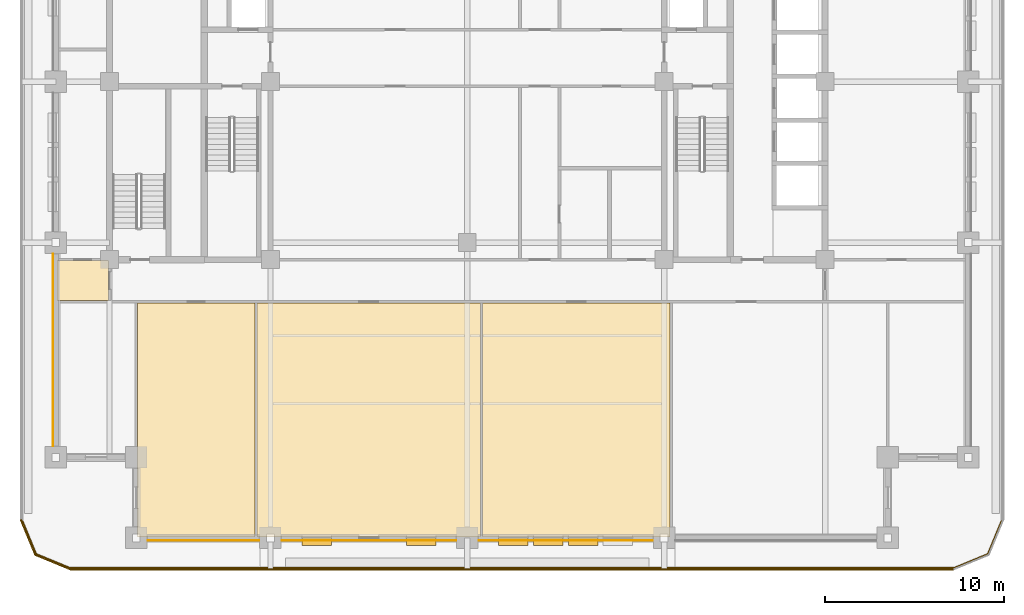
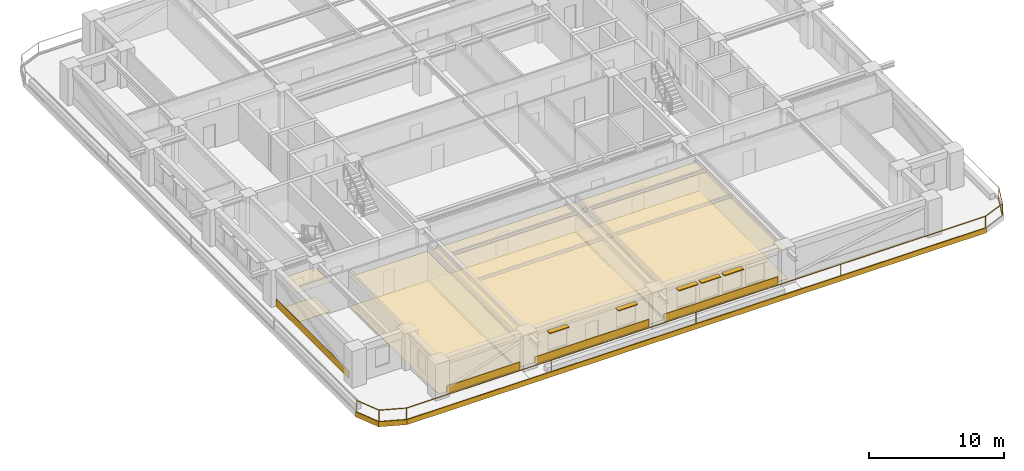
# One storey, part 7 of 13: 15 coverings, 5 shading devices, 1 railing.
"""IFC4 building model written with IfcOpenShell, lengths in metres."""

from ifc_helpers import new_model, si_unit, direction, frame, frame_2d, origin, origin_2d, place, context, subcontext, project, spatial, polyline, rectangle, outline, extrude, material, layer, layer_set, type_object, element, save


model = new_model("IFC4")

# Units and contexts
model_context = context("Model", 3, precision=1e-05, world=origin(), true_north=direction((0.0, 1.0)))
body_context = subcontext(model_context, "Body", "Model", "MODEL_VIEW")
ifc_project = project(units=[si_unit("LENGTHUNIT", "METRE"), si_unit("AREAUNIT", "SQUARE_METRE"), si_unit("VOLUMEUNIT", "CUBIC_METRE"), si_unit("PLANEANGLEUNIT", "RADIAN"), si_unit("MASSUNIT", "GRAM", prefix="KILO")], contexts=[model_context])

# Site, building, storey
site_placement = place(None, origin())
site = spatial("IfcSite", under=ifc_project, at=site_placement, CompositionType="ELEMENT")
building_placement = place(site_placement, origin())
building = spatial("IfcBuilding", under=site, at=building_placement, Name="Zulmaris Gate Convention Tower", CompositionType="ELEMENT")
storey_placement = place(building_placement, frame((0.0, 0.0, 105.639892578125)))
storey = spatial("IfcBuildingStorey", under=building, at=storey_placement, Name="L26", CompositionType="ELEMENT", Elevation=105.639892578125)

# Coverings
ifc_material_1 = material(Name="Precast concrete C40/50", Category="concrete")
ifc_layer_1 = layer(ifc_material_1, 0.0400390625, Name="Precast concrete C40/50")
ifc_layer_set_1 = layer_set([ifc_layer_1], Name="Precast concrete C40/50")
covering_type_1 = type_object("IfcCoveringType", Name="CLAD-SPANDREL-PRECAST", PredefinedType="CLADDING", material=ifc_layer_set_1)
covering_1_placement = place(storey_placement, frame((-17.8701171875, -25.64990234375, 0.0), z_axis=(0.0, 0.0, 1.0), x_axis=(1.0, 0.0, 0.0)))
element("IfcCovering", 1, at=covering_1_placement, inside=storey, type_object=covering_type_1, Name="CLD-L26-S-0_0", PredefinedType="CLADDING", context=body_context, shape_type="SweptSolid", body=[
    extrude(rectangle(XDim=6.240234375, YDim=0.0400390625, at=frame_2d((3.1201171875, 0.0))), origin(), (0.0, 0.0, 1.0), 0.679931640625),
])
for number, where, z_axis, x_axis, name in (
    (2, (-10.3701171875, -25.64990234375, 0.0), (0.0, 0.0, 1.0), (1.0, 0.0, 0.0), "CLD-L26-S-1_0"),
    (3, (0.6298828125, -25.64990234375, 0.0), (0.0, 0.0, 1.0), (1.0, 0.0, 0.0), "CLD-L26-S-2_0"),
):
    element("IfcCovering", number, at=place(storey_placement, frame(where, z_axis=z_axis, x_axis=x_axis)), inside=storey, type_object=covering_type_1, Name=name, PredefinedType="CLADDING", context=body_context, shape_type="SweptSolid", body=[
        extrude(rectangle(XDim=9.740234375, YDim=0.0400390625, at=frame_2d((4.8701171875, 0.0))), origin(), (0.0, 0.0, 1.0), 0.679931640625),
    ])
covering_2_placement = place(storey_placement, frame((-23.14990234375, -9.6298828125, 0.0), z_axis=(0.0, 0.0, 1.0), x_axis=(0.0, -1.0, 0.0)))
element("IfcCovering", 4, at=covering_2_placement, inside=storey, type_object=covering_type_1, Name="CLD-L26-W-0_0", PredefinedType="CLADDING", context=body_context, shape_type="SweptSolid", body=[
    extrude(rectangle(XDim=10.740234375, YDim=0.0400390625, at=frame_2d((5.3701171875, 0.0))), origin(), (0.0, 0.0, 1.0), 0.679931640625),
])
ifc_material_2 = material(Name="White Glazed Architectural Precast Concrete C40/50", Category="concrete")
ifc_layer_2 = layer(ifc_material_2, 0.080078125, Name="White Glazed Architectural Precast Concrete C40/50")
ifc_layer_set_2 = layer_set([ifc_layer_2], Name="White Glazed Architectural Precast Concrete C40/50")
covering_type_2 = type_object("IfcCoveringType", Name="CLAD-TRAY-FASCIA", PredefinedType="CLADDING", material=ifc_layer_set_2)
covering_3_placement = place(storey_placement, frame((-24.962890625, -24.484619140625, -0.2900390625), z_axis=(0.0, 0.0, 1.0), x_axis=(0.382656984709, -0.923890487046, 0.0)))
element("IfcCovering", 5, at=covering_3_placement, inside=storey, type_object=covering_type_2, Name="FSC-L26-TR-00", PredefinedType="CLADDING", context=body_context, shape_type="SweptSolid", body=[
    extrude(rectangle(XDim=2.14306640625, YDim=0.080078125, at=frame_2d((1.071533203125, 0.0))), origin(), (0.0, 0.0, 1.0), 0.4599609375),
])
covering_4_placement = place(storey_placement, frame((-24.16455078125, -26.44287109375, -0.2900390625), z_axis=(0.0, 0.0, 1.0), x_axis=(0.923873803533, -0.382697263049, 0.0)))
element("IfcCovering", 6, at=covering_4_placement, inside=storey, type_object=covering_type_2, Name="FSC-L26-TR-01", PredefinedType="CLADDING", context=body_context, shape_type="SweptSolid", body=[
    extrude(rectangle(XDim=2.142822265625, YDim=0.080078125, at=frame_2d((1.0712890625, 0.0))), origin(), (0.0, 0.0, 1.0), 0.4599609375),
])
covering_5_placement = place(storey_placement, frame((-22.199951171875, -27.260009765625, -0.2900390625), z_axis=(0.0, 0.0, 1.0), x_axis=(1.0, 0.0, 0.0)))
element("IfcCovering", 7, at=covering_5_placement, inside=storey, type_object=covering_type_2, Name="FSC-L26-TR-02", PredefinedType="CLADDING", context=body_context, shape_type="SweptSolid", body=[
    extrude(rectangle(XDim=49.39990234375, YDim=0.080078125, at=frame_2d((24.699951171875, 0.0))), origin(), (0.0, 0.0, 1.0), 0.4599609375),
])
ifc_material_3 = material(Name="Mineral Fibre Acoustic Ceiling Tile")
ifc_layer_3 = layer(ifc_material_3, 0.02001953125, Name="Mineral Fibre Acoustic Ceiling Tile")
ifc_layer_set_3 = layer_set([ifc_layer_3], Name="Mineral Fibre Acoustic Ceiling Tile")
covering_type_3 = type_object("IfcCoveringType", Name="CLG-ACOUSTIC-600", PredefinedType="CEILING", material=ifc_layer_set_3)
covering_6_placement = place(storey_placement, frame((0.0, 0.0, 2.68017578125)))
element("IfcCovering", 8, at=covering_6_placement, inside=storey, type_object=covering_type_3, Name="CLG-L26-R34", PredefinedType="CEILING", context=body_context, shape_type="SweptSolid", body=[
    extrude(outline(polyline([(-18.43994140625, -25.43994140625), (-11.860107421875, -25.43994140625), (-11.860107421875, -12.360107421875), (-18.43994140625, -12.360107421875), (-18.43994140625, -25.43994140625)])), origin(), (0.0, 0.0, 1.0), 0.02001953125),
])
covering_7_placement = place(storey_placement, frame((0.0, 0.0, 2.68017578125)))
element("IfcCovering", 9, at=covering_7_placement, inside=storey, type_object=covering_type_3, Name="CLG-L26-R35", PredefinedType="CEILING", context=body_context, shape_type="SweptSolid", body=[
    extrude(outline(polyline([(-11.739990234375, -25.43994140625), (0.739990234375, -25.43994140625), (0.739990234375, -12.360107421875), (-11.739990234375, -12.360107421875), (-11.739990234375, -25.43994140625)])), origin(), (0.0, 0.0, 1.0), 0.02001953125),
])
covering_8_placement = place(storey_placement, frame((0.0, 0.0, 2.68017578125)))
element("IfcCovering", 10, at=covering_8_placement, inside=storey, type_object=covering_type_3, Name="CLG-L26-R36", PredefinedType="CEILING", context=body_context, shape_type="SweptSolid", body=[
    extrude(outline(polyline([(0.860107421875, -25.43994140625), (11.340087890625, -25.43994140625), (11.340087890625, -12.360107421875), (0.860107421875, -12.360107421875), (0.860107421875, -25.43994140625)])), origin(), (0.0, 0.0, 1.0), 0.02001953125),
])
covering_9_placement = place(storey_placement, frame((0.0, 0.0, 2.68017578125)))
element("IfcCovering", 11, at=covering_9_placement, inside=storey, type_object=covering_type_3, Name="CLG-L26-R45", PredefinedType="CEILING", context=body_context, shape_type="SweptSolid", body=[
    extrude(outline(polyline([(-22.93994140625, -12.239990234375), (-20.06005859375, -12.239990234375), (-20.06005859375, -10.010009765625), (-22.93994140625, -10.010009765625), (-22.93994140625, -12.239990234375)])), origin(), (0.0, 0.0, 1.0), 0.02001953125),
])
ifc_material_4 = material(Name="Woven Acoustic Wool Carpet Tile")
ifc_layer_4 = layer(ifc_material_4, 0.02001953125, Name="Woven Acoustic Wool Carpet Tile")
ifc_layer_set_4 = layer_set([ifc_layer_4], Name="Woven Acoustic Wool Carpet Tile")
covering_type_4 = type_object("IfcCoveringType", Name="FLR-CARPET-12", PredefinedType="FLOORING", material=ifc_layer_set_4)
covering_10_placement = place(storey_placement, origin())
element("IfcCovering", 12, at=covering_10_placement, inside=storey, type_object=covering_type_4, Name="FLR-L26-R35", PredefinedType="FLOORING", context=body_context, shape_type="SweptSolid", body=[
    extrude(outline(polyline([(-11.739990234375, -25.43994140625), (0.739990234375, -25.43994140625), (0.739990234375, -12.360107421875), (-11.739990234375, -12.360107421875), (-11.739990234375, -25.43994140625)])), origin(), (0.0, 0.0, 1.0), 0.02001953125),
])
covering_11_placement = place(storey_placement, origin())
element("IfcCovering", 13, at=covering_11_placement, inside=storey, type_object=covering_type_4, Name="FLR-L26-R36", PredefinedType="FLOORING", context=body_context, shape_type="SweptSolid", body=[
    extrude(outline(polyline([(0.860107421875, -25.43994140625), (11.340087890625, -25.43994140625), (11.340087890625, -12.360107421875), (0.860107421875, -12.360107421875), (0.860107421875, -25.43994140625)])), origin(), (0.0, 0.0, 1.0), 0.02001953125),
])
covering_12_placement = place(storey_placement, origin())
element("IfcCovering", 14, at=covering_12_placement, inside=storey, type_object=covering_type_4, Name="FLR-L26-R45", PredefinedType="FLOORING", context=body_context, shape_type="SweptSolid", body=[
    extrude(outline(polyline([(-22.93994140625, -12.239990234375), (-20.06005859375, -12.239990234375), (-20.06005859375, -10.010009765625), (-22.93994140625, -10.010009765625), (-22.93994140625, -12.239990234375)])), origin(), (0.0, 0.0, 1.0), 0.02001953125),
])
ifc_material_5 = material(Name="Engineered Teak Parquet Flooring")
ifc_layer_5 = layer(ifc_material_5, 0.02001953125, Name="Engineered Teak Parquet Flooring")
ifc_layer_set_5 = layer_set([ifc_layer_5], Name="Engineered Teak Parquet Flooring")
covering_type_5 = type_object("IfcCoveringType", Name="FLR-TIMBER-18", PredefinedType="FLOORING", material=ifc_layer_set_5)
covering_13_placement = place(storey_placement, origin())
element("IfcCovering", 15, at=covering_13_placement, inside=storey, type_object=covering_type_5, Name="FLR-L26-R34", PredefinedType="FLOORING", context=body_context, shape_type="SweptSolid", body=[
    extrude(outline(polyline([(-18.43994140625, -25.43994140625), (-11.860107421875, -25.43994140625), (-11.860107421875, -12.360107421875), (-18.43994140625, -12.360107421875), (-18.43994140625, -25.43994140625)])), origin(), (0.0, 0.0, 1.0), 0.02001953125),
])

# Railing
ifc_material_6 = material(Name="Laminated Glass and Stainless Steel", Category="steel")
railing_type = type_object("IfcRailingType", Name="RL-BALC-1150", PredefinedType="BALUSTRADE", material=ifc_material_6)
railing_placement = place(storey_placement, frame((-24.8798828125, -24.5, 0.010009765625)))
element("IfcRailing", 16, at=railing_placement, inside=storey, type_object=railing_type, Name="RL-L26-BALC-S", PredefinedType="BALUSTRADE", context=body_context, shape_type="SweptSolid", body=[
    extrude(rectangle(XDim=0.048095703125, YDim=0.048095703125, at=origin_2d()), frame((0.0, 0.0, 1.1259765625), z_axis=(0.382670664694, -0.92388482095, 0.0), x_axis=(0.92388482095, 0.382670664694, 0.0)), (0.0, 0.0, 1.0), 2.051025390625),
    extrude(rectangle(XDim=0.048095703125, YDim=0.048095703125, at=origin_2d()), frame((0.0, 0.0, 0.02392578125), z_axis=(0.382670664694, -0.92388482095, 0.0), x_axis=(0.92388482095, 0.382670664694, 0.0)), (0.0, 0.0, 1.0), 2.051025390625),
    extrude(rectangle(XDim=0.048095703125, YDim=0.048095703125, at=origin_2d()), frame((0.784912109375, -1.89501953125, 1.1259765625), z_axis=(0.92388482095, -0.382670664694, 0.0), x_axis=(0.382670664694, 0.92388482095, 0.0)), (0.0, 0.0, 1.0), 2.051025390625),
    extrude(rectangle(XDim=0.048095703125, YDim=0.048095703125, at=origin_2d()), frame((0.784912109375, -1.89501953125, 0.02392578125), z_axis=(0.92388482095, -0.382670664694, 0.0), x_axis=(0.382670664694, 0.92388482095, 0.0)), (0.0, 0.0, 1.0), 2.051025390625),
    extrude(rectangle(XDim=0.048095703125, YDim=0.048095703125, at=origin_2d()), frame((2.679931640625, -2.679931640625, 1.1259765625), z_axis=(1.0, 0.0, 0.0), x_axis=(0.0, 1.0, 0.0)), (0.0, 0.0, 1.0), 49.39990234375),
    extrude(rectangle(XDim=0.048095703125, YDim=0.048095703125, at=origin_2d()), frame((2.679931640625, -2.679931640625, 0.02392578125), z_axis=(1.0, 0.0, 0.0), x_axis=(0.0, 1.0, 0.0)), (0.0, 0.0, 1.0), 49.39990234375),
    extrude(rectangle(XDim=0.048095703125, YDim=0.048095703125, at=origin_2d()), frame((52.079833984375, -2.679931640625, 1.1259765625), z_axis=(0.92388482095, 0.382670664694, 0.0), x_axis=(-0.382670664694, 0.92388482095, 0.0)), (0.0, 0.0, 1.0), 2.051025390625),
    extrude(rectangle(XDim=0.048095703125, YDim=0.048095703125, at=origin_2d()), frame((52.079833984375, -2.679931640625, 0.02392578125), z_axis=(0.92388482095, 0.382670664694, 0.0), x_axis=(-0.382670664694, 0.92388482095, 0.0)), (0.0, 0.0, 1.0), 2.051025390625),
    extrude(rectangle(XDim=0.048095703125, YDim=0.048095703125, at=origin_2d()), frame((53.974853515625, -1.89501953125, 1.1259765625), z_axis=(0.382670664694, 0.92388482095, 0.0), x_axis=(-0.92388482095, 0.382670664694, 0.0)), (0.0, 0.0, 1.0), 2.051025390625),
    extrude(rectangle(XDim=0.048095703125, YDim=0.048095703125, at=origin_2d()), frame((53.974853515625, -1.89501953125, 0.02392578125), z_axis=(0.382670664694, 0.92388482095, 0.0), x_axis=(-0.92388482095, 0.382670664694, 0.0)), (0.0, 0.0, 1.0), 2.051025390625),
    extrude(rectangle(XDim=0.0419921875, YDim=0.0419921875, at=origin_2d()), origin(), (0.0, 0.0, 1.0), 1.101806640625),
    extrude(rectangle(XDim=0.0419921875, YDim=0.0419921875, at=origin_2d()), frame((0.784912109375, -1.89501953125, 0.0)), (0.0, 0.0, 1.0), 1.101806640625),
    extrude(rectangle(XDim=0.0419921875, YDim=0.0419921875, at=origin_2d()), frame((2.679931640625, -2.679931640625, 0.0)), (0.0, 0.0, 1.0), 1.101806640625),
    extrude(rectangle(XDim=0.0419921875, YDim=0.0419921875, at=origin_2d()), frame((15.02978515625, -2.679931640625, 0.0)), (0.0, 0.0, 1.0), 1.101806640625),
    extrude(rectangle(XDim=0.0419921875, YDim=0.0419921875, at=origin_2d()), frame((27.3798828125, -2.679931640625, 0.0)), (0.0, 0.0, 1.0), 1.101806640625),
    extrude(rectangle(XDim=0.0419921875, YDim=0.0419921875, at=origin_2d()), frame((39.72998046875, -2.679931640625, 0.0)), (0.0, 0.0, 1.0), 1.101806640625),
    extrude(rectangle(XDim=0.0419921875, YDim=0.0419921875, at=origin_2d()), frame((52.079833984375, -2.679931640625, 0.0)), (0.0, 0.0, 1.0), 1.101806640625),
    extrude(rectangle(XDim=0.0419921875, YDim=0.0419921875, at=origin_2d()), frame((53.974853515625, -1.89501953125, 0.0)), (0.0, 0.0, 1.0), 1.101806640625),
    extrude(rectangle(XDim=0.0419921875, YDim=0.0419921875, at=origin_2d()), frame((54.759765625, 0.0, 0.0)), (0.0, 0.0, 1.0), 1.101806640625),
])

# Shading devices
ifc_material_7 = material(Name="Glazed Ceramic Terracotta", Category="masonry")
ifc_layer_6 = layer(ifc_material_7, 0.070068359375, Name="Glazed Ceramic Terracotta")
ifc_layer_set_6 = layer_set([ifc_layer_6], Name="Glazed Ceramic Terracotta")
shading_device_type = type_object("IfcShadingDeviceType", Name="SHD-SUNSHADE-TC", PredefinedType="AWNING", material=ifc_layer_set_6)
for number, where, z_axis, x_axis, name in (
    (17, (-9.2470703125, -25.719970703125, 2.530029296875), (0.0, 0.0, 1.0), (1.0, 0.0, 0.0), "SHD-EW-L26-S-1_0-1"),
    (18, (-3.403076171875, -25.719970703125, 2.530029296875), (0.0, 0.0, 1.0), (1.0, 0.0, 0.0), "SHD-EW-L26-S-1_0-4"),
    (19, (1.7529296875, -25.719970703125, 2.530029296875), (0.0, 0.0, 1.0), (1.0, 0.0, 0.0), "SHD-EW-L26-S-2_0-1"),
    (20, (3.700927734375, -25.719970703125, 2.530029296875), (0.0, 0.0, 1.0), (1.0, 0.0, 0.0), "SHD-EW-L26-S-2_0-2"),
    (21, (5.64892578125, -25.719970703125, 2.530029296875), (0.0, 0.0, 1.0), (1.0, 0.0, 0.0), "SHD-EW-L26-S-2_0-3"),
):
    element("IfcShadingDevice", number, at=place(storey_placement, frame(where, z_axis=z_axis, x_axis=x_axis)), inside=storey, type_object=shading_device_type, Name=name, PredefinedType="AWNING", context=body_context, shape_type="SweptSolid", body=[
        extrude(rectangle(XDim=1.650146484375, YDim=0.43994140625, at=frame_2d((0.8251953125, 0.0))), origin(), (0.0, 0.0, 1.0), 0.070068359375),
    ])

save(model, "model.ifc")
